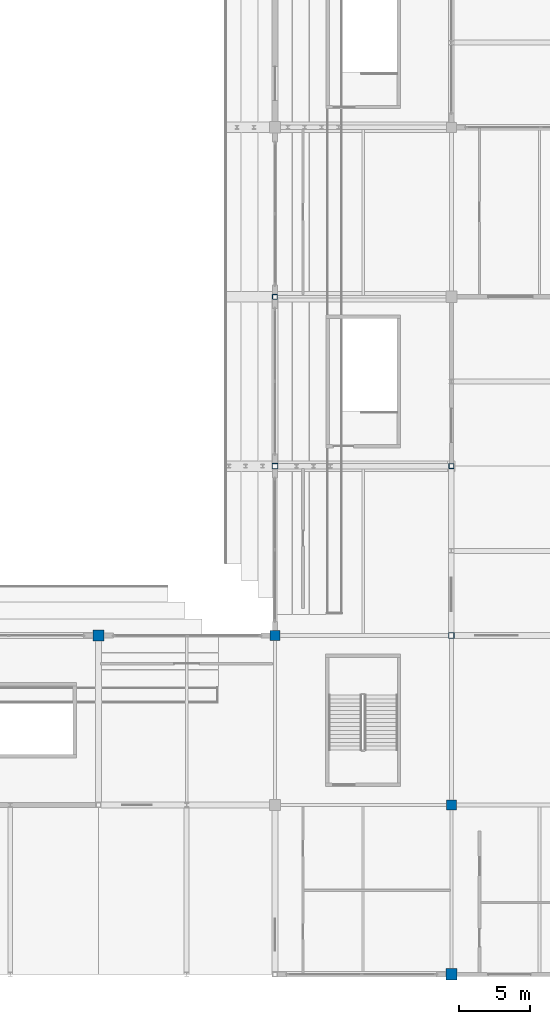
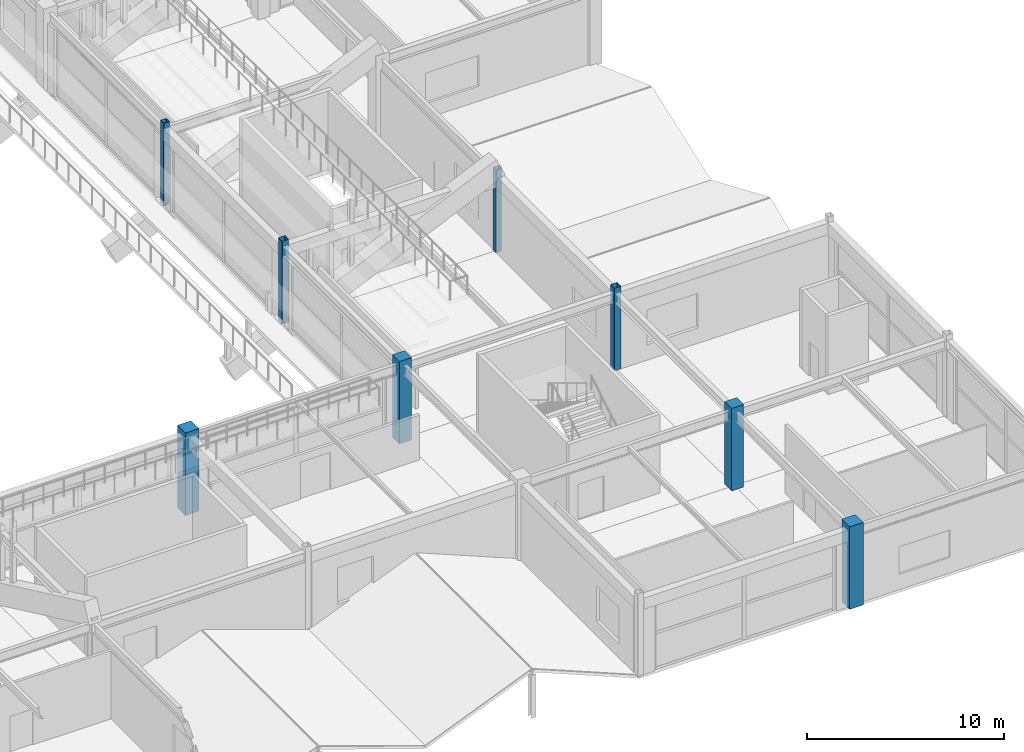
# One storey, part 12 of 128: 8 columns.
"""IFC4 building model written with IfcOpenShell, lengths in metres."""

from ifc_helpers import new_model, si_unit, direction, frame, origin, origin_2d, place, context, subcontext, project, spatial, rectangle, hollow_rectangle, extrude, material, material_profile, profile_set, type_object, element, save


model = new_model("IFC4")

# Units and contexts
model_context = context("Model", 3, precision=1e-05, world=origin(), true_north=direction((0.0, 1.0)))
body_context = subcontext(model_context, "Body", "Model", "MODEL_VIEW")
ifc_project = project(units=[si_unit("LENGTHUNIT", "METRE"), si_unit("AREAUNIT", "SQUARE_METRE"), si_unit("VOLUMEUNIT", "CUBIC_METRE"), si_unit("PLANEANGLEUNIT", "RADIAN"), si_unit("MASSUNIT", "GRAM", prefix="KILO")], contexts=[model_context])

# Site, building, storey
site_placement = place(None, origin())
site = spatial("IfcSite", under=ifc_project, at=site_placement, CompositionType="ELEMENT")
building_placement = place(site_placement, origin())
building = spatial("IfcBuilding", under=site, at=building_placement, Name="Kazenohara Klinker Stadium", CompositionType="ELEMENT")
storey_placement = place(building_placement, frame((0.0, 0.0, 15.300048828125)))
storey = spatial("IfcBuildingStorey", under=building, at=storey_placement, Name="L03", CompositionType="ELEMENT", Elevation=15.300048828125)

# Columns
ifc_material_1 = material(Name="Concrete C40/50", Category="concrete")
ifc_material_profile_1 = material_profile(ifc_material_1, rectangle(XDim=0.800048828125, YDim=0.800048828125, at=origin_2d()), Name="RC-COL-800x800")
ifc_profile_set_1 = profile_set([ifc_material_profile_1], Name="Concrete C40/50")
column_type_1 = type_object("IfcColumnType", Name="COL-RC05", PredefinedType="COLUMN", material=ifc_profile_set_1)
for number, where, z_axis, x_axis, name in (
    (1, (162.5, 36.0, 0.0), (0.0, 0.0, 1.0), (1.0, 0.0, 0.0), "Column C05 L03 14/D"),
    (2, (187.5, 12.0, 0.0), (0.0, 0.0, 1.0), (1.0, 0.0, 0.0), "Column C05 L03 16/B"),
):
    element("IfcColumn", number, at=place(storey_placement, frame(where, z_axis=z_axis, x_axis=x_axis)), inside=storey, type_object=column_type_1, Name=name, PredefinedType="COLUMN", context=body_context, shape_type="SweptSolid", body=[
        extrude(rectangle(XDim=0.800048828125, YDim=0.800048828125, at=origin_2d()), origin(), (0.0, 0.0, 1.0), 5.099853515625),
    ])
ifc_material_profile_2 = material_profile(ifc_material_1, rectangle(XDim=0.699951171875, YDim=0.699951171875, at=origin_2d()), Name="RC-COL-700x700")
ifc_profile_set_2 = profile_set([ifc_material_profile_2], Name="Concrete C40/50")
column_type_2 = type_object("IfcColumnType", Name="COL-RC06", PredefinedType="COLUMN", material=ifc_profile_set_2)
for number, where, z_axis, x_axis, name in (
    (3, (175.0, 36.0, 0.0), (0.0, 0.0, 1.0), (1.0, 0.0, 0.0), "Column C06 L03 15/D"),
    (4, (187.5, 24.0, 0.0), (0.0, 0.0, 1.0), (1.0, 0.0, 0.0), "Column C06 L03 16/C"),
):
    element("IfcColumn", number, at=place(storey_placement, frame(where, z_axis=z_axis, x_axis=x_axis)), inside=storey, type_object=column_type_2, Name=name, PredefinedType="COLUMN", context=body_context, shape_type="SweptSolid", body=[
        extrude(rectangle(XDim=0.699951171875, YDim=0.699951171875, at=origin_2d()), origin(), (0.0, 0.0, 1.0), 5.099853515625),
    ])
ifc_material_2 = material(Name="Steel S355", Category="steel")
ifc_material_profile_3 = material_profile(ifc_material_2, hollow_rectangle(XDim=0.39990234375, YDim=0.39990234375, WallThickness=0.01611328125, InnerFilletRadius=0.01611328125, OuterFilletRadius=0.031982421875, at=origin_2d()), Name="SHS-400x400x16")
ifc_profile_set_3 = profile_set([ifc_material_profile_3], Name="Steel S355")
column_type_3 = type_object("IfcColumnType", Name="COL-ST01", PredefinedType="COLUMN", material=ifc_profile_set_3)
for number, where, z_axis, x_axis, name in (
    (5, (175.0, 48.0, 0.0), (0.0, 0.0, 1.0), (1.0, 0.0, 0.0), "Column SC01 L03 15/E"),
    (6, (187.5, 36.0, 0.0), (0.0, 0.0, 1.0), (1.0, 0.0, 0.0), "Column SC01 L03 16/D"),
):
    element("IfcColumn", number, at=place(storey_placement, frame(where, z_axis=z_axis, x_axis=x_axis)), inside=storey, type_object=column_type_3, Name=name, PredefinedType="COLUMN", context=body_context, shape_type="SweptSolid", body=[
        extrude(hollow_rectangle(XDim=0.39990234375, YDim=0.39990234375, WallThickness=0.01611328125, InnerFilletRadius=0.01611328125, OuterFilletRadius=0.031982421875, at=origin_2d()), origin(), (0.0, 0.0, 1.0), 5.099853515625),
    ])
ifc_material_profile_4 = material_profile(ifc_material_2, hollow_rectangle(XDim=0.35009765625, YDim=0.35009765625, WallThickness=0.01611328125, InnerFilletRadius=0.01611328125, OuterFilletRadius=0.031982421875, at=origin_2d()), Name="SHS-350x350x16")
ifc_profile_set_4 = profile_set([ifc_material_profile_4], Name="Steel S355")
column_type_4 = type_object("IfcColumnType", Name="COL-ST02", PredefinedType="COLUMN", material=ifc_profile_set_4)
for number, where, z_axis, x_axis, name in (
    (7, (175.0, 60.0, 0.0), (0.0, 0.0, 1.0), (1.0, 0.0, 0.0), "Column SC02 L03 15/F"),
    (8, (187.5, 48.0, 0.0), (0.0, 0.0, 1.0), (1.0, 0.0, 0.0), "Column SC02 L03 16/E"),
):
    element("IfcColumn", number, at=place(storey_placement, frame(where, z_axis=z_axis, x_axis=x_axis)), inside=storey, type_object=column_type_4, Name=name, PredefinedType="COLUMN", context=body_context, shape_type="SweptSolid", body=[
        extrude(hollow_rectangle(XDim=0.35009765625, YDim=0.35009765625, WallThickness=0.01611328125, InnerFilletRadius=0.01611328125, OuterFilletRadius=0.031982421875, at=origin_2d()), origin(), (0.0, 0.0, 1.0), 5.099853515625),
    ])

save(model, "model.ifc")
